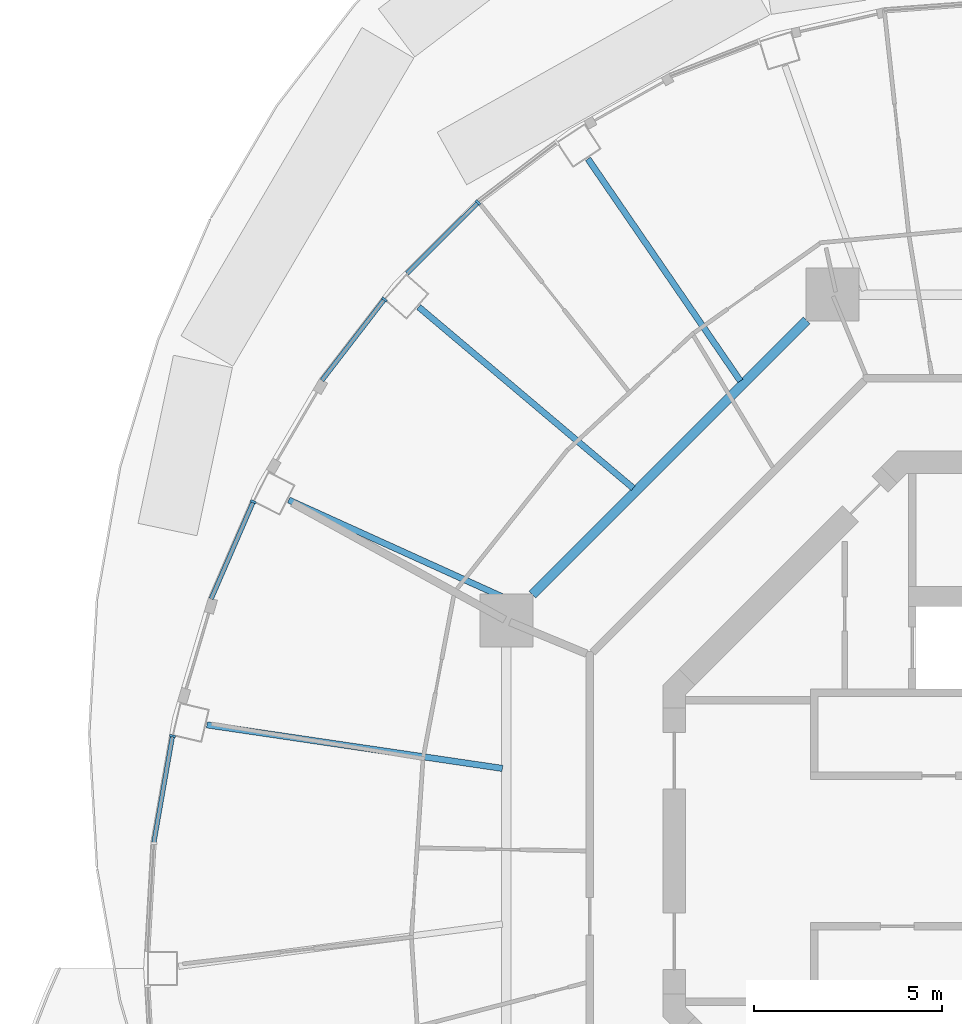
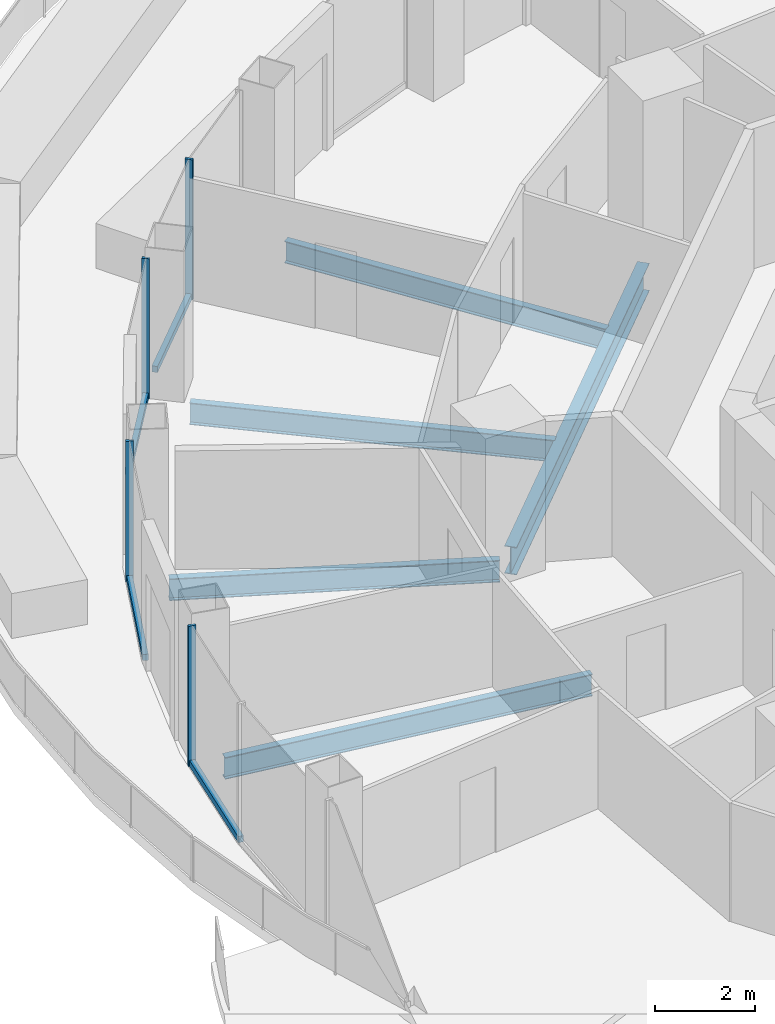
# One storey, part 5 of 17: 8 members, 5 beams, 4 elements without a shape of their own.
"""IFC4 building model written with IfcOpenShell, lengths in metres."""

from ifc_helpers import new_model, si_unit, direction, frame, origin, origin_2d, place, context, subcontext, project, spatial, rectangle, i_section, extrude, material, layer, layer_set, material_profile, profile_set, type_object, element, aggregate, save


model = new_model("IFC4")

# Units and contexts
model_context = context("Model", 3, precision=1e-05, world=origin(), true_north=direction((0.0, 1.0)))
body_context = subcontext(model_context, "Body", "Model", "MODEL_VIEW")
ifc_project = project(units=[si_unit("LENGTHUNIT", "METRE"), si_unit("AREAUNIT", "SQUARE_METRE"), si_unit("VOLUMEUNIT", "CUBIC_METRE"), si_unit("PLANEANGLEUNIT", "RADIAN"), si_unit("MASSUNIT", "GRAM", prefix="KILO")], contexts=[model_context])

# Site, building, storey
site_placement = place(None, origin())
site = spatial("IfcSite", under=ifc_project, at=site_placement, CompositionType="ELEMENT")
building_placement = place(site_placement, origin())
building = spatial("IfcBuilding", under=site, at=building_placement, Name="Nagisa Residences", CompositionType="ELEMENT")
storey_placement = place(building_placement, frame((0.0, 0.0, 258.5)))
storey = spatial("IfcBuildingStorey", under=building, at=storey_placement, Name="L65", CompositionType="ELEMENT", Elevation=258.5)

# Curtain wall, member
ifc_material_1 = material(Name="Concrete-coloured aluminium curtain wall system", Category="concrete")
ifc_layer = layer(ifc_material_1, 0.159912109375)
ifc_layer_set = layer_set([ifc_layer], Name="CW1 CURTAIN WALL")
curtain_wall_type = type_object("IfcCurtainWallType", Name="CW1 CURTAIN WALL", PredefinedType="NOTDEFINED", material=ifc_layer_set)
curtain_wall_1_placement = place(storey_placement, origin())
curtain_wall_1 = element("IfcCurtainWall", 1, at=curtain_wall_1_placement, inside=storey, type_object=curtain_wall_type, Name="cw:CW1:L65:17", PredefinedType="NOTDEFINED")
ifc_material_2 = material(Name="Concrete-coloured aluminium", Category="concrete")
ifc_material_profile_1 = material_profile(ifc_material_2, rectangle(XDim=0.159912109375, YDim=0.06005859375, at=origin_2d()), Name="CW1 MULLION 160x60")
ifc_profile_set_1 = profile_set([ifc_material_profile_1], Name="Concrete-coloured aluminium")
member_type_1 = type_object("IfcMemberType", Name="CW1 MULLION 160x60", PredefinedType="MULLION", material=ifc_profile_set_1)
member_1_placement = place(storey_placement, frame((-15.534912109375, 17.225341796875, 0.0), z_axis=(0.0, 0.0, 1.0), x_axis=(0.706376885714, -0.707835924016, 0.0)))
member_1 = element("IfcMember", 2, at=member_1_placement, type_object=member_type_1, Name="CW1 mullion", PredefinedType="MULLION", context=body_context, shape_type="SweptSolid", body=[
    extrude(rectangle(XDim=0.159912109375, YDim=0.06005859375, at=origin_2d()), origin(), (0.0, 0.0, 1.0), 3.43994140625),
])

curtain_wall_2_placement = place(storey_placement, origin())
curtain_wall_2 = element("IfcCurtainWall", 3, at=curtain_wall_2_placement, inside=storey, type_object=curtain_wall_type, Name="cw:CW1:L65:18", PredefinedType="NOTDEFINED")
member_2_placement = place(storey_placement, frame((-18.0244140625, 14.654296875, 0.0), z_axis=(0.0, 0.0, 1.0), x_axis=(0.792070340816, -0.610429828235, 0.0)))
member_2 = element("IfcMember", 4, at=member_2_placement, type_object=member_type_1, Name="CW1 mullion", PredefinedType="MULLION", context=body_context, shape_type="SweptSolid", body=[
    extrude(rectangle(XDim=0.159912109375, YDim=0.06005859375, at=origin_2d()), origin(), (0.0, 0.0, 1.0), 3.43994140625),
])

curtain_wall_3_placement = place(storey_placement, origin())
curtain_wall_3 = element("IfcCurtainWall", 5, at=curtain_wall_3_placement, inside=storey, type_object=curtain_wall_type, Name="cw:CW1:L65:20", PredefinedType="NOTDEFINED")
member_3_placement = place(storey_placement, frame((-21.5068359375, 9.280029296875, 0.0), z_axis=(0.0, 0.0, 1.0), x_axis=(0.917543276295, -0.397635934147, 0.0)))
member_3 = element("IfcMember", 6, at=member_3_placement, type_object=member_type_1, Name="CW1 mullion", PredefinedType="MULLION", context=body_context, shape_type="SweptSolid", body=[
    extrude(rectangle(XDim=0.159912109375, YDim=0.06005859375, at=origin_2d()), origin(), (0.0, 0.0, 1.0), 3.43994140625),
])

curtain_wall_4_placement = place(storey_placement, origin())
curtain_wall_4 = element("IfcCurtainWall", 7, at=curtain_wall_4_placement, inside=storey, type_object=curtain_wall_type, Name="cw:CW1:L65:22", PredefinedType="NOTDEFINED")
member_4_placement = place(storey_placement, frame((-23.653076171875, 3.0576171875, 0.0), z_axis=(0.0, 0.0, 1.0), x_axis=(0.985063604377, -0.172190868898, 0.0)))
member_4 = element("IfcMember", 8, at=member_4_placement, type_object=member_type_1, Name="CW1 mullion", PredefinedType="MULLION", context=body_context, shape_type="SweptSolid", body=[
    extrude(rectangle(XDim=0.159912109375, YDim=0.06005859375, at=origin_2d()), origin(), (0.0, 0.0, 1.0), 3.43994140625),
])

# Member
ifc_material_3 = material(Name="Concrete-coloured aluminium", Category="concrete")
ifc_material_profile_2 = material_profile(ifc_material_3, rectangle(XDim=0.1201171875, YDim=0.14990234375, at=origin_2d()), Name="CW1 TRANSOM 120x150")
ifc_profile_set_2 = profile_set([ifc_material_profile_2], Name="Concrete-coloured aluminium")
member_type_2 = type_object("IfcMemberType", Name="CW1 TRANSOM 120x150", PredefinedType="USERDEFINED", material=ifc_profile_set_2)
member_5_placement = place(storey_placement, frame((-15.513671875, 17.24658203125, 0.074951171875), z_axis=(-0.707831739508, -0.706381078841, 0.0), x_axis=(0.706381078841, -0.707831739508, 0.0)))
member_5 = element("IfcMember", 9, at=member_5_placement, type_object=member_type_2, Name="CW1 transom", ObjectType="TRANSOM", PredefinedType="USERDEFINED", context=body_context, shape_type="SweptSolid", body=[
    extrude(rectangle(XDim=0.1201171875, YDim=0.14990234375, at=origin_2d()), origin(), (0.0, 0.0, 1.0), 2.692626953125),
])

aggregate(curtain_wall_1, [member_1, member_5])

member_6_placement = place(storey_placement, frame((-18.006103515625, 14.677978515625, 0.074951171875), z_axis=(-0.610432336622, -0.792068407656, 0.0), x_axis=(0.792068407656, -0.610432336622, 0.0)))
member_6 = element("IfcMember", 10, at=member_6_placement, type_object=member_type_2, Name="CW1 transom", ObjectType="TRANSOM", PredefinedType="USERDEFINED", context=body_context, shape_type="SweptSolid", body=[
    extrude(rectangle(XDim=0.1201171875, YDim=0.14990234375, at=origin_2d()), origin(), (0.0, 0.0, 1.0), 2.74609375),
])

aggregate(curtain_wall_2, [member_2, member_6])

member_7_placement = place(storey_placement, frame((-21.4951171875, 9.3076171875, 0.074951171875), z_axis=(-0.397597791596, -0.9175598052, 0.0), x_axis=(0.9175598052, -0.397597791596, 0.0)))
member_7 = element("IfcMember", 11, at=member_7_placement, type_object=member_type_2, Name="CW1 transom", ObjectType="TRANSOM", PredefinedType="USERDEFINED", context=body_context, shape_type="SweptSolid", body=[
    extrude(rectangle(XDim=0.1201171875, YDim=0.14990234375, at=origin_2d()), origin(), (0.0, 0.0, 1.0), 2.841064453125),
])

aggregate(curtain_wall_3, [member_3, member_7])

member_8_placement = place(storey_placement, frame((-23.64794921875, 3.087158203125, 0.074951171875), z_axis=(-0.172196679668, -0.985062588626, 0.0), x_axis=(0.985062588626, -0.172196679668, 0.0)))
member_8 = element("IfcMember", 12, at=member_8_placement, type_object=member_type_2, Name="CW1 transom", ObjectType="TRANSOM", PredefinedType="USERDEFINED", context=body_context, shape_type="SweptSolid", body=[
    extrude(rectangle(XDim=0.1201171875, YDim=0.14990234375, at=origin_2d()), origin(), (0.0, 0.0, 1.0), 2.90234375),
])

aggregate(curtain_wall_4, [member_4, member_8])

# Beams
ifc_material_4 = material(Name="Steel ASTM A572 Gr 50", Category="steel")
ifc_material_profile_3 = material_profile(ifc_material_4, i_section(OverallWidth=0.2529296875, OverallDepth=0.677978515625, WebThickness=0.01171875, FlangeThickness=0.016357421875, at=origin_2d()), Name="W690x125")
ifc_profile_set_3 = profile_set([ifc_material_profile_3], Name="Steel ASTM A572 Gr 50")
beam_type_1 = type_object("IfcBeamType", Name="Inner ring beam W690x125", PredefinedType="BEAM", material=ifc_profile_set_3)
beam_1_placement = place(storey_placement, frame((-6.808837890625, 14.09619140625, -0.59912109375), z_axis=(-0.707106781187, -0.707106781187, 0.0), x_axis=(0.707106781187, -0.707106781187, 0.0)))
element("IfcBeam", 13, at=beam_1_placement, inside=storey, type_object=beam_type_1, Name="beam:L65:ib3", PredefinedType="BEAM", context=body_context, shape_type="SweptSolid", body=[
    extrude(i_section(OverallWidth=0.2529296875, OverallDepth=0.677978515625, WebThickness=0.01171875, FlangeThickness=0.016357421875, at=origin_2d()), origin(), (0.0, 0.0, 1.0), 10.305908203125),
])
ifc_material_5 = material(Name="Steel ASTM A572 Gr 50", Category="steel")
ifc_material_profile_4 = material_profile(ifc_material_5, i_section(OverallWidth=0.166015625, OverallDepth=0.534912109375, WebThickness=0.01025390625, FlangeThickness=0.0166015625, at=origin_2d()), Name="W530x85")
ifc_profile_set_4 = profile_set([ifc_material_profile_4], Name="Steel ASTM A572 Gr 50")
beam_type_2 = type_object("IfcBeamType", Name="Radial beam W530x85", PredefinedType="BEAM", material=ifc_profile_set_4)
beam_2_placement = place(storey_placement, frame((-12.61669921875, 18.38623046875, -0.527587890625), z_axis=(0.565801556263, -0.824541447673, 0.0), x_axis=(0.824541447673, 0.565801556263, 0.0)))
element("IfcBeam", 14, at=beam_2_placement, inside=storey, type_object=beam_type_2, Name="beam:L65:rb09", PredefinedType="BEAM", context=body_context, shape_type="SweptSolid", body=[
    extrude(i_section(OverallWidth=0.166015625, OverallDepth=0.534912109375, WebThickness=0.01025390625, FlangeThickness=0.0166015625, at=origin_2d()), origin(), (0.0, 0.0, 1.0), 7.154296875),
])
beam_3_placement = place(storey_placement, frame((-17.112548828125, 14.4521484375, -0.527587890625), z_axis=(0.763996921049, -0.645219888586, 0.0), x_axis=(0.645219888586, 0.763996921049, 0.0)))
element("IfcBeam", 15, at=beam_3_placement, inside=storey, type_object=beam_type_2, Name="beam:L65:rb10", PredefinedType="BEAM", context=body_context, shape_type="SweptSolid", body=[
    extrude(i_section(OverallWidth=0.166015625, OverallDepth=0.534912109375, WebThickness=0.01025390625, FlangeThickness=0.0166015625, at=origin_2d()), origin(), (0.0, 0.0, 1.0), 7.457275390625),
])
beam_4_placement = place(storey_placement, frame((-20.564453125, 9.324462890625, -0.527587890625), z_axis=(0.910754559931, -0.412948097907, 0.0), x_axis=(0.412948097907, 0.910754559931, 0.0)))
element("IfcBeam", 16, at=beam_4_placement, inside=storey, type_object=beam_type_2, Name="beam:L65:rb11", PredefinedType="BEAM", context=body_context, shape_type="SweptSolid", body=[
    extrude(i_section(OverallWidth=0.166015625, OverallDepth=0.534912109375, WebThickness=0.01025390625, FlangeThickness=0.0166015625, at=origin_2d()), origin(), (0.0, 0.0, 1.0), 6.671875),
])
beam_5_placement = place(storey_placement, frame((-22.7392578125, 3.35205078125, -0.527587890625), z_axis=(0.989309581681, -0.145830557817, 0.0), x_axis=(0.145830557817, 0.989309581681, 0.0)))
element("IfcBeam", 17, at=beam_5_placement, inside=storey, type_object=beam_type_2, Name="beam:L65:rb12", PredefinedType="BEAM", context=body_context, shape_type="SweptSolid", body=[
    extrude(i_section(OverallWidth=0.166015625, OverallDepth=0.534912109375, WebThickness=0.01025390625, FlangeThickness=0.0166015625, at=origin_2d()), origin(), (0.0, 0.0, 1.0), 7.935302734375),
])

save(model, "model.ifc")
